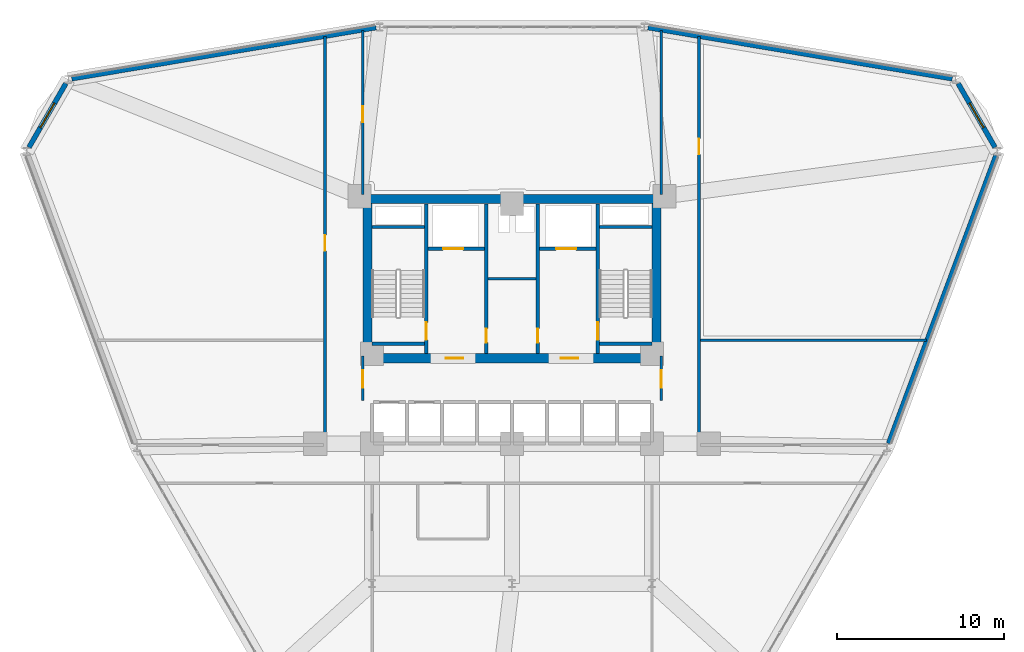
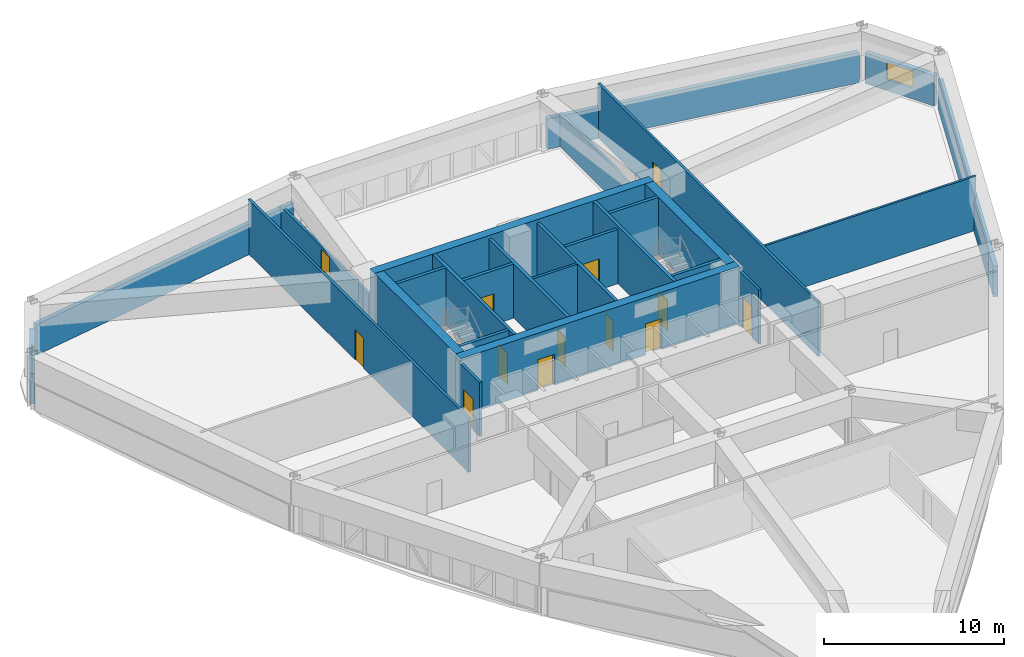
# One storey, part 16 of 20: 27 walls, 13 doors, 2 windows, 15 openings.
"""IFC4 building model written with IfcOpenShell, lengths in metres."""

from ifc_helpers import new_model, si_unit, derived_unit, direction, frame, frame_2d, origin, place, context, subcontext, project, spatial, rectangle, extrude, material, layer, layer_set, type_object, element, fill, save


model = new_model("IFC4")

# Units and contexts
model_context = context("Model", 3, precision=1e-05, world=origin(), true_north=direction((0.0, 1.0)))
body_context = subcontext(model_context, "Body", "Model", "MODEL_VIEW")
ifc_project = project(units=[si_unit("LENGTHUNIT", "METRE"), si_unit("AREAUNIT", "SQUARE_METRE"), si_unit("VOLUMEUNIT", "CUBIC_METRE"), si_unit("PLANEANGLEUNIT", "RADIAN"), si_unit("MASSUNIT", "GRAM", prefix="KILO"), derived_unit("THERMALTRANSMITTANCEUNIT", [(si_unit("POWERUNIT", "WATT"), 1), (si_unit("LENGTHUNIT", "METRE"), -2), (si_unit("THERMODYNAMICTEMPERATUREUNIT", "KELVIN"), -1)])], contexts=[model_context])

# Site, building, storey
site_placement = place(None, origin())
site = spatial("IfcSite", under=ifc_project, at=site_placement, CompositionType="ELEMENT")
building_placement = place(site_placement, origin())
building = spatial("IfcBuilding", under=site, at=building_placement, Name="Korsvarv Bourse and Concert Hall", CompositionType="ELEMENT")
storey_placement = place(building_placement, frame((0.0, 0.0, 39.60009765625)))
storey = spatial("IfcBuildingStorey", under=building, at=storey_placement, Name="L09", CompositionType="ELEMENT", Elevation=39.60009765625)

# Wall, opening, door
ifc_material_1 = material(Name="Concrete C50/60", Category="concrete")
ifc_layer_1 = layer(ifc_material_1, 0.3798828125)
ifc_layer_set_1 = layer_set([ifc_layer_1], Name="Concrete C50/60")
wall_type_1 = type_object("IfcWallType", Name="WL-CORE-380", PredefinedType="SHEAR", material=ifc_layer_set_1)
wall_1_placement = place(storey_placement, frame((30.860107421875, 37.81005859375, 0.0), z_axis=(0.0, 0.0, 1.0), x_axis=(0.0, 1.0, 0.0)))
wall_1 = element("IfcWall", 1, at=wall_1_placement, inside=storey, type_object=wall_type_1, Name="L09 stair shaft structural wall W-L09-ST1-E", PredefinedType="SHEAR", context=body_context, shape_type="SweptSolid", body=[
    extrude(rectangle(XDim=8.97998046875, YDim=0.199951171875, at=frame_2d((4.489990234375, 0.0))), origin(), (0.0, 0.0, 1.0), 3.89990234375),
])
opening_1_placement = place(wall_1_placement, frame((0.820068359375, 0.0, 0.0)))
opening_1 = element("IfcOpeningElement", 2, at=opening_1_placement, cuts=wall_1, Name="Opening D-01", PredefinedType="OPENING", context=body_context, shape_type="SweptSolid", body=[
    extrude(rectangle(XDim=1.050048828125, YDim=2.10009765625, at=frame_2d((0.52490234375, 1.050048828125))), frame((0.0, 0.10986328125, 0.0), z_axis=(0.0, -1.0, 0.0), x_axis=(1.0, 0.0, 0.0)), (0.0, 0.0, 1.0), 0.219970703125),
])
ifc_material_2 = material(Name="Steel S355 fire door", Category="steel")
door_type_1 = type_object("IfcDoorType", Name="DR-FD60", OperationType="NOTDEFINED", PredefinedType="DOOR", material=ifc_material_2)
door_1_placement = place(opening_1_placement, origin())
door_1 = element("IfcDoor", 3, at=door_1_placement, inside=storey, type_object=door_type_1, Name="L09 interior door DR-L09-ST1", OperationType="SINGLE_SWING_RIGHT", OverallHeight=2.10009765625, OverallWidth=1.050048828125, PredefinedType="DOOR", context=body_context, shape_type="SweptSolid", body=[
    extrude(rectangle(XDim=1.050048828125, YDim=2.10009765625, at=frame_2d((0.52490234375, 1.050048828125))), frame((0.0, 0.02490234375, 0.0), z_axis=(0.0, -1.0, 0.0), x_axis=(1.0, 0.0, 0.0)), (0.0, 0.0, 1.0), 0.050048828125),
])
fill(opening_1, door_1)

# Walls
for number, where, z_axis, x_axis, name in (
    (4, (27.610107421875, 45.39990234375, 0.0), (0.0, 0.0, 1.0), (1.0, 0.0, 0.0), "L09 stair shaft structural wall W-L09-ST1-N"),
    (5, (27.610107421875, 38.39990234375, 0.0), (0.0, 0.0, 1.0), (1.0, 0.0, 0.0), "L09 stair shaft structural wall W-L09-ST1-S"),
):
    element("IfcWall", number, at=place(storey_placement, frame(where, z_axis=z_axis, x_axis=x_axis)), inside=storey, type_object=wall_type_1, Name=name, PredefinedType="SHEAR", context=body_context, shape_type="SweptSolid", body=[
        extrude(rectangle(XDim=3.139892578125, YDim=0.199951171875, at=frame_2d((1.56982421875, 0.0))), origin(), (0.0, 0.0, 1.0), 3.89990234375),
    ])

# Wall, opening, door
wall_2_placement = place(storey_placement, frame((41.139892578125, 37.81005859375, 0.0), z_axis=(0.0, 0.0, 1.0), x_axis=(0.0, 1.0, 0.0)))
wall_2 = element("IfcWall", 6, at=wall_2_placement, inside=storey, type_object=wall_type_1, Name="L09 stair shaft structural wall W-L09-ST2-W", PredefinedType="SHEAR", context=body_context, shape_type="SweptSolid", body=[
    extrude(rectangle(XDim=8.97998046875, YDim=0.199951171875, at=frame_2d((4.489990234375, 0.0))), origin(), (0.0, 0.0, 1.0), 3.89990234375),
])
opening_2_placement = place(wall_2_placement, frame((0.820068359375, 0.0, 0.0)))
opening_2 = element("IfcOpeningElement", 7, at=opening_2_placement, cuts=wall_2, Name="Opening D-01", PredefinedType="OPENING", context=body_context, shape_type="SweptSolid", body=[
    extrude(rectangle(XDim=1.050048828125, YDim=2.10009765625, at=frame_2d((0.52490234375, 1.050048828125))), frame((0.0, 0.10986328125, 0.0), z_axis=(0.0, -1.0, 0.0), x_axis=(1.0, 0.0, 0.0)), (0.0, 0.0, 1.0), 0.219970703125),
])
door_2_placement = place(opening_2_placement, frame((1.050048828125, 0.0, 0.0), z_axis=(0.0, 0.0, 1.0), x_axis=(-1.0, 0.0, 0.0)))
door_2 = element("IfcDoor", 8, at=door_2_placement, inside=storey, type_object=door_type_1, Name="L09 interior door DR-L09-ST2", OperationType="SINGLE_SWING_LEFT", OverallHeight=2.10009765625, OverallWidth=1.050048828125, PredefinedType="DOOR", context=body_context, shape_type="SweptSolid", body=[
    extrude(rectangle(XDim=1.050048828125, YDim=2.10009765625, at=frame_2d((0.52490234375, 1.050048828125))), frame((0.0, 0.02490234375, 0.0), z_axis=(0.0, -1.0, 0.0), x_axis=(1.0, 0.0, 0.0)), (0.0, 0.0, 1.0), 0.050048828125),
])
fill(opening_2, door_2)

# Walls
for number, where, z_axis, x_axis, name in (
    (9, (41.25, 45.39990234375, 0.0), (0.0, 0.0, 1.0), (1.0, 0.0, 0.0), "L09 stair shaft structural wall W-L09-ST2-N"),
    (10, (41.25, 38.39990234375, 0.0), (0.0, 0.0, 1.0), (1.0, 0.0, 0.0), "L09 stair shaft structural wall W-L09-ST2-S"),
):
    element("IfcWall", number, at=place(storey_placement, frame(where, z_axis=z_axis, x_axis=x_axis)), inside=storey, type_object=wall_type_1, Name=name, PredefinedType="SHEAR", context=body_context, shape_type="SweptSolid", body=[
        extrude(rectangle(XDim=3.139892578125, YDim=0.199951171875, at=frame_2d((1.56982421875, 0.0))), origin(), (0.0, 0.0, 1.0), 3.89990234375),
    ])
ifc_material_3 = material(Name="Concrete C60/75", Category="concrete")
ifc_layer_2 = layer(ifc_material_3, 0.550048828125)
ifc_layer_set_2 = layer_set([ifc_layer_2], Name="Concrete C60/75")
wall_type_2 = type_object("IfcWallType", Name="WL-CORE-550", PredefinedType="SHEAR", material=ifc_layer_set_2)
wall_3_placement = place(storey_placement, frame((27.050048828125, 47.074951171875, 0.0), z_axis=(0.0, 0.0, 1.0), x_axis=(1.0, 0.0, 0.0)))
element("IfcWall", 11, at=wall_3_placement, inside=storey, type_object=wall_type_2, Name="L09 North Core Shear Wall", PredefinedType="SHEAR", context=body_context, shape_type="SweptSolid", body=[
    extrude(rectangle(XDim=17.89990234375, YDim=0.550048828125, at=frame_2d((8.949951171875, 0.0))), origin(), (0.0, 0.0, 1.0), 3.89990234375),
])

# Wall, openings, doors
wall_4_placement = place(storey_placement, frame((27.050048828125, 37.52490234375, 0.0), z_axis=(0.0, 0.0, 1.0), x_axis=(1.0, 0.0, 0.0)))
wall_4 = element("IfcWall", 12, at=wall_4_placement, inside=storey, type_object=wall_type_2, Name="L09 South Core Shear Wall", PredefinedType="SHEAR", context=body_context, shape_type="SweptSolid", body=[
    extrude(rectangle(XDim=17.89990234375, YDim=0.550048828125, at=frame_2d((8.949951171875, 0.0))), origin(), (0.0, 0.0, 1.0), 3.89990234375),
])
opening_3_placement = place(wall_4_placement, frame((4.97509765625, 0.0, 0.0)))
opening_3 = element("IfcOpeningElement", 13, at=opening_3_placement, cuts=wall_4, Name="Opening D-01", PredefinedType="OPENING", context=body_context, shape_type="SweptSolid", body=[
    extrude(rectangle(XDim=1.050048828125, YDim=2.10009765625, at=frame_2d((0.52490234375, 1.050048828125))), frame((0.0, 0.28515625, 0.0), z_axis=(0.0, -1.0, 0.0), x_axis=(1.0, 0.0, 0.0)), (0.0, 0.0, 1.0), 0.570068359375),
])
opening_4_placement = place(wall_4_placement, frame((11.875, 0.0, 0.0)))
opening_4 = element("IfcOpeningElement", 14, at=opening_4_placement, cuts=wall_4, Name="Opening D-01", PredefinedType="OPENING", context=body_context, shape_type="SweptSolid", body=[
    extrude(rectangle(XDim=1.050048828125, YDim=2.10009765625, at=frame_2d((0.52490234375, 1.050048828125))), frame((0.0, 0.28515625, 0.0), z_axis=(0.0, -1.0, 0.0), x_axis=(1.0, 0.0, 0.0)), (0.0, 0.0, 1.0), 0.570068359375),
])
door_3_placement = place(opening_3_placement, frame((1.050048828125, 0.0, 0.0), z_axis=(0.0, 0.0, 1.0), x_axis=(-1.0, 0.0, 0.0)))
door_3 = element("IfcDoor", 15, at=door_3_placement, inside=storey, type_object=door_type_1, Name="L09 firefighting lobby fire door DR-L09-FFLW", OperationType="SINGLE_SWING_RIGHT", OverallHeight=2.10009765625, OverallWidth=1.050048828125, PredefinedType="DOOR", context=body_context, shape_type="SweptSolid", body=[
    extrude(rectangle(XDim=1.050048828125, YDim=2.10009765625, at=frame_2d((0.52490234375, 1.050048828125))), frame((0.0, 0.02490234375, 0.0), z_axis=(0.0, -1.0, 0.0), x_axis=(1.0, 0.0, 0.0)), (0.0, 0.0, 1.0), 0.050048828125),
])
fill(opening_3, door_3)
door_4_placement = place(opening_4_placement, frame((1.050048828125, 0.0, 0.0), z_axis=(0.0, 0.0, 1.0), x_axis=(-1.0, 0.0, 0.0)))
door_4 = element("IfcDoor", 16, at=door_4_placement, inside=storey, type_object=door_type_1, Name="L09 firefighting lobby fire door DR-L09-FFLE", OperationType="SINGLE_SWING_LEFT", OverallHeight=2.10009765625, OverallWidth=1.050048828125, PredefinedType="DOOR", context=body_context, shape_type="SweptSolid", body=[
    extrude(rectangle(XDim=1.050048828125, YDim=2.10009765625, at=frame_2d((0.52490234375, 1.050048828125))), frame((0.0, 0.02490234375, 0.0), z_axis=(0.0, -1.0, 0.0), x_axis=(1.0, 0.0, 0.0)), (0.0, 0.0, 1.0), 0.050048828125),
])
fill(opening_4, door_4)

# Walls
for number, where, z_axis, x_axis, name in (
    (17, (27.324951171875, 37.800048828125, 0.0), (0.0, 0.0, 1.0), (0.0, 1.0, 0.0), "L09 West Core Shear Wall"),
    (18, (44.675048828125, 37.800048828125, 0.0), (0.0, 0.0, 1.0), (0.0, 1.0, 0.0), "L09 East Core Shear Wall"),
):
    element("IfcWall", number, at=place(storey_placement, frame(where, z_axis=z_axis, x_axis=x_axis)), inside=storey, type_object=wall_type_2, Name=name, PredefinedType="SHEAR", context=body_context, shape_type="SweptSolid", body=[
        extrude(rectangle(XDim=9.0, YDim=0.550048828125, at=frame_2d((4.5, 0.0))), origin(), (0.0, 0.0, 1.0), 3.89990234375),
    ])

# Wall, opening, window
ifc_material_4 = material(Name="Precast concrete C45/55 with terracotta rainscreen", Category="concrete")
ifc_layer_3 = layer(ifc_material_4, 0.300048828125)
ifc_layer_set_3 = layer_set([ifc_layer_3], Name="Precast concrete C45/55 with terracotta rainscreen")
wall_type_3 = type_object("IfcWallType", Name="WL-EXT-TC1", PredefinedType="SOLIDWALL", material=ifc_layer_set_3)
wall_5_placement = place(storey_placement, frame((64.990234375, 50.181640625, 0.0), z_axis=(0.0, 0.0, 1.0), x_axis=(-0.499994569991, 0.866028538779, 0.0)))
wall_5 = element("IfcWall", 19, at=wall_5_placement, inside=storey, type_object=wall_type_3, Name="L09 terracotta exterior wall EW-L09-B01", PredefinedType="SOLIDWALL", context=body_context, shape_type="SweptSolid", body=[
    extrude(rectangle(XDim=4.4267578125, YDim=0.300048828125, at=frame_2d((2.21337890625, 0.0))), origin(), (0.0, 0.0, 1.0), 2.079833984375),
])
opening_5_placement = place(wall_5_placement, frame((1.36328125, 0.0, 0.75)))
opening_5 = element("IfcOpeningElement", 20, at=opening_5_placement, cuts=wall_5, Name="Opening W-06", PredefinedType="OPENING", context=body_context, shape_type="SweptSolid", body=[
    extrude(rectangle(XDim=1.699951171875, YDim=1.14990234375, at=frame_2d((0.85009765625, 0.574951171875))), frame((0.0, 0.16015625, 0.0), z_axis=(0.0, -1.0, 0.0), x_axis=(1.0, 0.0, 0.0)), (0.0, 0.0, 1.0), 0.320068359375),
])
ifc_material_5 = material(Name="Thermally broken aluminium frame with triple low-E glass", Category="glass")
window_type = type_object("IfcWindowType", Name="WIN-TW1-1700X1150", PartitioningType="SINGLE_PANEL", PredefinedType="WINDOW", material=ifc_material_5)
window_1_placement = place(opening_5_placement, origin())
window_1 = element("IfcWindow", 21, at=window_1_placement, inside=storey, type_object=window_type, Name="L09 punched facade window W-06", OverallHeight=1.14990234375, OverallWidth=1.699951171875, PartitioningType="SINGLE_PANEL", PredefinedType="WINDOW", context=body_context, shape_type="SweptSolid", body=[
    extrude(rectangle(XDim=1.699951171875, YDim=1.14990234375, at=frame_2d((0.85009765625, 0.574951171875))), frame((0.0, 0.030029296875, 0.0), z_axis=(0.0, -1.0, 0.0), x_axis=(1.0, 0.0, 0.0)), (0.0, 0.0, 1.0), 0.06005859375),
])
fill(opening_5, window_1)

wall_6_placement = place(storey_placement, frame((9.22314453125, 54.015380859375, 0.0), z_axis=(0.0, 0.0, 1.0), x_axis=(-0.499994569991, -0.866028538779, 0.0)))
wall_6 = element("IfcWall", 22, at=wall_6_placement, inside=storey, type_object=wall_type_3, Name="L09 terracotta exterior wall EW-L09-B05", PredefinedType="SOLIDWALL", context=body_context, shape_type="SweptSolid", body=[
    extrude(rectangle(XDim=4.4267578125, YDim=0.300048828125, at=frame_2d((2.21337890625, 0.0))), origin(), (0.0, 0.0, 1.0), 2.079833984375),
])
opening_6_placement = place(wall_6_placement, frame((1.36328125, 0.0, 0.75)))
opening_6 = element("IfcOpeningElement", 23, at=opening_6_placement, cuts=wall_6, Name="Opening W-06", PredefinedType="OPENING", context=body_context, shape_type="SweptSolid", body=[
    extrude(rectangle(XDim=1.699951171875, YDim=1.14990234375, at=frame_2d((0.85009765625, 0.574951171875))), frame((0.0, 0.16015625, 0.0), z_axis=(0.0, -1.0, 0.0), x_axis=(1.0, 0.0, 0.0)), (0.0, 0.0, 1.0), 0.320068359375),
])
window_2_placement = place(opening_6_placement, origin())
window_2 = element("IfcWindow", 24, at=window_2_placement, inside=storey, type_object=window_type, Name="L09 punched facade window W-06", OverallHeight=1.14990234375, OverallWidth=1.699951171875, PartitioningType="SINGLE_PANEL", PredefinedType="WINDOW", context=body_context, shape_type="SweptSolid", body=[
    extrude(rectangle(XDim=1.699951171875, YDim=1.14990234375, at=frame_2d((0.85009765625, 0.574951171875))), frame((0.0, 0.030029296875, 0.0), z_axis=(0.0, -1.0, 0.0), x_axis=(1.0, 0.0, 0.0)), (0.0, 0.0, 1.0), 0.06005859375),
])
fill(opening_6, window_2)

# Walls
ifc_material_6 = material(Name="Precast concrete C45/55 with fluted terracotta pier", Category="concrete")
ifc_layer_4 = layer(ifc_material_6, 0.280029296875)
ifc_layer_set_4 = layer_set([ifc_layer_4], Name="Precast concrete C45/55 with fluted terracotta pier")
wall_type_4 = type_object("IfcWallType", Name="WL-EXT-TC2", PredefinedType="SOLIDWALL", material=ifc_layer_set_4)
for number, where, z_axis, x_axis, name in (
    (25, (62.420166015625, 54.2939453125, 0.0), (0.0, 0.0, 1.0), (-0.986153073874, 0.165837616025, 0.0), "L09 terracotta exterior wall EW-L09-B02"),
    (26, (27.841796875, 57.364990234375, 0.0), (0.0, 0.0, 1.0), (-0.986153073874, -0.165837616025, 0.0), "L09 terracotta exterior wall EW-L09-B04"),
):
    element("IfcWall", number, at=place(storey_placement, frame(where, z_axis=z_axis, x_axis=x_axis)), inside=storey, type_object=wall_type_4, Name=name, PredefinedType="SOLIDWALL", context=body_context, shape_type="SweptSolid", body=[
        extrude(rectangle(XDim=18.518310546875, YDim=0.280029296875, at=frame_2d((9.25927734375, 0.0))), origin(), (0.0, 0.0, 1.0), 2.079833984375),
    ])
wall_7_placement = place(storey_placement, frame((58.59521484375, 32.41845703125, 0.0), z_axis=(0.0, 0.0, 1.0), x_axis=(0.349439969545, 0.936958754527, 0.0)))
element("IfcWall", 27, at=wall_7_placement, inside=storey, type_object=wall_type_4, Name="L09 terracotta exterior wall EW-L09-B12", PredefinedType="SOLIDWALL", context=body_context, shape_type="SweptSolid", body=[
    extrude(rectangle(XDim=18.44189453125, YDim=0.280029296875, at=frame_2d((9.220947265625, 0.0))), origin(), (0.0, 0.0, 1.0), 2.079833984375),
])

# Wall, opening, door
ifc_material_7 = material(Name="Reinforced concrete blockwork C35/45 fire wall", Category="concrete")
ifc_layer_5 = layer(ifc_material_7, 0.199951171875)
ifc_layer_set_5 = layer_set([ifc_layer_5], Name="Reinforced concrete blockwork C35/45 fire wall")
wall_type_5 = type_object("IfcWallType", Name="WL-INT-EI120", PredefinedType="PARTITIONING", material=ifc_layer_set_5)
wall_8_placement = place(storey_placement, frame((30.969970703125, 44.10009765625, 0.0), z_axis=(0.0, 0.0, 1.0), x_axis=(1.0, 0.0, 0.0)))
wall_8 = element("IfcWall", 28, at=wall_8_placement, inside=storey, type_object=wall_type_5, Name="L09 interior partition wall W-L09-FF1-S", PredefinedType="PARTITIONING", context=body_context, shape_type="SweptSolid", body=[
    extrude(rectangle(XDim=3.380126953125, YDim=0.199951171875, at=frame_2d((1.68994140625, 0.0))), origin(), (0.0, 0.0, 1.0), 3.679931640625),
])
opening_7_placement = place(wall_8_placement, frame((0.89990234375, 0.0, 0.0)))
opening_7 = element("IfcOpeningElement", 29, at=opening_7_placement, cuts=wall_8, Name="Opening LD-1", PredefinedType="OPENING", context=body_context, shape_type="SweptSolid", body=[
    extrude(rectangle(XDim=1.199951171875, YDim=2.10009765625, at=frame_2d((0.60009765625, 1.050048828125))), frame((0.0, 0.10986328125, 0.0), z_axis=(0.0, -1.0, 0.0), x_axis=(1.0, 0.0, 0.0)), (0.0, 0.0, 1.0), 0.219970703125),
])
ifc_material_8 = material(Name="Stainless Steel S355 firefighting lift landing door", Category="steel")
door_type_2 = type_object("IfcDoorType", Name="DR-LIFT-FF", OperationType="DOUBLE_DOOR_SLIDING", PredefinedType="DOOR", material=ifc_material_8)
door_5_placement = place(opening_7_placement, origin())
door_5 = element("IfcDoor", 30, at=door_5_placement, inside=storey, type_object=door_type_2, Name="L09 lift sliding landing door LD-L09-FF1", OperationType="DOUBLE_DOOR_SLIDING", OverallHeight=2.10009765625, OverallWidth=1.199951171875, PredefinedType="DOOR", context=body_context, shape_type="SweptSolid", body=[
    extrude(rectangle(XDim=1.199951171875, YDim=2.10009765625, at=frame_2d((0.60009765625, 1.050048828125))), frame((0.0, 0.02490234375, 0.0), z_axis=(0.0, -1.0, 0.0), x_axis=(1.0, 0.0, 0.0)), (0.0, 0.0, 1.0), 0.050048828125),
])
fill(opening_7, door_5)

wall_9_placement = place(storey_placement, frame((37.64990234375, 44.10009765625, 0.0), z_axis=(0.0, 0.0, 1.0), x_axis=(1.0, 0.0, 0.0)))
wall_9 = element("IfcWall", 31, at=wall_9_placement, inside=storey, type_object=wall_type_5, Name="L09 interior partition wall W-L09-FF2-S", PredefinedType="PARTITIONING", context=body_context, shape_type="SweptSolid", body=[
    extrude(rectangle(XDim=3.380126953125, YDim=0.199951171875, at=frame_2d((1.68994140625, 0.0))), origin(), (0.0, 0.0, 1.0), 3.679931640625),
])
opening_8_placement = place(wall_9_placement, frame((1.0, 0.0, 0.0)))
opening_8 = element("IfcOpeningElement", 32, at=opening_8_placement, cuts=wall_9, Name="Opening LD-1", PredefinedType="OPENING", context=body_context, shape_type="SweptSolid", body=[
    extrude(rectangle(XDim=1.199951171875, YDim=2.10009765625, at=frame_2d((0.60009765625, 1.050048828125))), frame((0.0, 0.10986328125, 0.0), z_axis=(0.0, -1.0, 0.0), x_axis=(1.0, 0.0, 0.0)), (0.0, 0.0, 1.0), 0.219970703125),
])
door_6_placement = place(opening_8_placement, origin())
door_6 = element("IfcDoor", 33, at=door_6_placement, inside=storey, type_object=door_type_2, Name="L09 lift sliding landing door LD-L09-FF2", OperationType="DOUBLE_DOOR_SLIDING", OverallHeight=2.10009765625, OverallWidth=1.199951171875, PredefinedType="DOOR", context=body_context, shape_type="SweptSolid", body=[
    extrude(rectangle(XDim=1.199951171875, YDim=2.10009765625, at=frame_2d((0.60009765625, 1.050048828125))), frame((0.0, 0.02490234375, 0.0), z_axis=(0.0, -1.0, 0.0), x_axis=(1.0, 0.0, 0.0)), (0.0, 0.0, 1.0), 0.050048828125),
])
fill(opening_8, door_6)

wall_10_placement = place(storey_placement, frame((34.4599609375, 37.81005859375, 0.0), z_axis=(0.0, 0.0, 1.0), x_axis=(0.0, 1.0, 0.0)))
wall_10 = element("IfcWall", 34, at=wall_10_placement, inside=storey, type_object=wall_type_5, Name="L09 interior partition wall W-L09-CSB-W", PredefinedType="PARTITIONING", context=body_context, shape_type="SweptSolid", body=[
    extrude(rectangle(XDim=8.97998046875, YDim=0.199951171875, at=frame_2d((4.489990234375, 0.0))), origin(), (0.0, 0.0, 1.0), 3.679931640625),
])
opening_9_placement = place(wall_10_placement, frame((0.64990234375, 0.0, 0.0)))
opening_9 = element("IfcOpeningElement", 35, at=opening_9_placement, cuts=wall_10, Name="Opening D-05", PredefinedType="OPENING", context=body_context, shape_type="SweptSolid", body=[
    extrude(rectangle(XDim=0.85009765625, YDim=2.050048828125, at=frame_2d((0.425048828125, 1.02490234375))), frame((0.0, 0.10986328125, 0.0), z_axis=(0.0, -1.0, 0.0), x_axis=(1.0, 0.0, 0.0)), (0.0, 0.0, 1.0), 0.219970703125),
])
door_type_3 = type_object("IfcDoorType", Name="DR-FD60-850X2050", OperationType="NOTDEFINED", PredefinedType="DOOR", material=ifc_material_2)
door_7_placement = place(opening_9_placement, frame((0.85009765625, 0.0, 0.0), z_axis=(0.0, 0.0, 1.0), x_axis=(-1.0, 0.0, 0.0)))
door_7 = element("IfcDoor", 36, at=door_7_placement, inside=storey, type_object=door_type_3, Name="L09 interior door DR-L09-CSB1", OperationType="SINGLE_SWING_RIGHT", OverallHeight=2.050048828125, OverallWidth=0.85009765625, PredefinedType="DOOR", context=body_context, shape_type="SweptSolid", body=[
    extrude(rectangle(XDim=0.85009765625, YDim=2.050048828125, at=frame_2d((0.425048828125, 1.02490234375))), frame((0.0, 0.02490234375, 0.0), z_axis=(0.0, -1.0, 0.0), x_axis=(1.0, 0.0, 0.0)), (0.0, 0.0, 1.0), 0.050048828125),
])
fill(opening_9, door_7)

wall_11_placement = place(storey_placement, frame((37.5400390625, 37.81005859375, 0.0), z_axis=(0.0, 0.0, 1.0), x_axis=(0.0, 1.0, 0.0)))
wall_11 = element("IfcWall", 37, at=wall_11_placement, inside=storey, type_object=wall_type_5, Name="L09 interior partition wall W-L09-CSB-E", PredefinedType="PARTITIONING", context=body_context, shape_type="SweptSolid", body=[
    extrude(rectangle(XDim=8.97998046875, YDim=0.199951171875, at=frame_2d((4.489990234375, 0.0))), origin(), (0.0, 0.0, 1.0), 3.679931640625),
])
opening_10_placement = place(wall_11_placement, frame((0.64990234375, 0.0, 0.0)))
opening_10 = element("IfcOpeningElement", 38, at=opening_10_placement, cuts=wall_11, Name="Opening D-05", PredefinedType="OPENING", context=body_context, shape_type="SweptSolid", body=[
    extrude(rectangle(XDim=0.85009765625, YDim=2.050048828125, at=frame_2d((0.425048828125, 1.02490234375))), frame((0.0, 0.10986328125, 0.0), z_axis=(0.0, -1.0, 0.0), x_axis=(1.0, 0.0, 0.0)), (0.0, 0.0, 1.0), 0.219970703125),
])
door_8_placement = place(opening_10_placement, origin())
door_8 = element("IfcDoor", 39, at=door_8_placement, inside=storey, type_object=door_type_3, Name="L09 interior door DR-L09-CSB2", OperationType="SINGLE_SWING_LEFT", OverallHeight=2.050048828125, OverallWidth=0.85009765625, PredefinedType="DOOR", context=body_context, shape_type="SweptSolid", body=[
    extrude(rectangle(XDim=0.85009765625, YDim=2.050048828125, at=frame_2d((0.425048828125, 1.02490234375))), frame((0.0, 0.02490234375, 0.0), z_axis=(0.0, -1.0, 0.0), x_axis=(1.0, 0.0, 0.0)), (0.0, 0.0, 1.0), 0.050048828125),
])
fill(opening_10, door_8)

# Wall
ifc_material_9 = material(Name="Double-stud fire-rated acoustic partition", Category="gypsum")
ifc_layer_6 = layer(ifc_material_9, 0.159912109375)
ifc_layer_set_6 = layer_set([ifc_layer_6], Name="Double-stud fire-rated acoustic partition")
wall_type_6 = type_object("IfcWallType", Name="WL-INT-EI60", PredefinedType="PARTITIONING", material=ifc_layer_set_6)
wall_12_placement = place(storey_placement, frame((34.570068359375, 42.300048828125, 0.0), z_axis=(0.0, 0.0, 1.0), x_axis=(1.0, 0.0, 0.0)))
element("IfcWall", 40, at=wall_12_placement, inside=storey, type_object=wall_type_6, Name="L09 interior partition wall W-L09-K1", PredefinedType="PARTITIONING", context=body_context, shape_type="SweptSolid", body=[
    extrude(rectangle(XDim=2.85986328125, YDim=0.159912109375, at=frame_2d((1.429931640625, 0.0))), origin(), (0.0, 0.0, 1.0), 3.679931640625),
])

# Wall, opening, door
wall_13_placement = place(storey_placement, frame((27.0400390625, 35.0, 0.0), z_axis=(0.0, 0.0, 1.0), x_axis=(0.0, 1.0, 0.0)))
wall_13 = element("IfcWall", 41, at=wall_13_placement, inside=storey, type_object=wall_type_6, Name="L09 interior partition wall W-L09-LOB-W", PredefinedType="PARTITIONING", context=body_context, shape_type="SweptSolid", body=[
    extrude(rectangle(XDim=2.64990234375, YDim=0.159912109375, at=frame_2d((1.324951171875, 0.0))), origin(), (0.0, 0.0, 1.0), 3.679931640625),
])
opening_11_placement = place(wall_13_placement, frame((0.75, 0.0, 0.0)))
opening_11 = element("IfcOpeningElement", 42, at=opening_11_placement, cuts=wall_13, Name="Opening D-01", PredefinedType="OPENING", context=body_context, shape_type="SweptSolid", body=[
    extrude(rectangle(XDim=1.050048828125, YDim=2.10009765625, at=frame_2d((0.52490234375, 1.050048828125))), frame((0.0, 0.08984375, 0.0), z_axis=(0.0, -1.0, 0.0), x_axis=(1.0, 0.0, 0.0)), (0.0, 0.0, 1.0), 0.179931640625),
])
door_9_placement = place(opening_11_placement, frame((1.050048828125, 0.0, 0.0), z_axis=(0.0, 0.0, 1.0), x_axis=(-1.0, 0.0, 0.0)))
door_9 = element("IfcDoor", 43, at=door_9_placement, inside=storey, type_object=door_type_1, Name="L09 interior door DR-L09-LOBW", OperationType="SINGLE_SWING_RIGHT", OverallHeight=2.10009765625, OverallWidth=1.050048828125, PredefinedType="DOOR", context=body_context, shape_type="SweptSolid", body=[
    extrude(rectangle(XDim=1.050048828125, YDim=2.10009765625, at=frame_2d((0.52490234375, 1.050048828125))), frame((0.0, 0.02490234375, 0.0), z_axis=(0.0, -1.0, 0.0), x_axis=(1.0, 0.0, 0.0)), (0.0, 0.0, 1.0), 0.050048828125),
])
fill(opening_11, door_9)

wall_14_placement = place(storey_placement, frame((44.9599609375, 35.0, 0.0), z_axis=(0.0, 0.0, 1.0), x_axis=(0.0, 1.0, 0.0)))
wall_14 = element("IfcWall", 44, at=wall_14_placement, inside=storey, type_object=wall_type_6, Name="L09 interior partition wall W-L09-LOB-E", PredefinedType="PARTITIONING", context=body_context, shape_type="SweptSolid", body=[
    extrude(rectangle(XDim=2.64990234375, YDim=0.159912109375, at=frame_2d((1.324951171875, 0.0))), origin(), (0.0, 0.0, 1.0), 3.679931640625),
])
opening_12_placement = place(wall_14_placement, frame((0.75, 0.0, 0.0)))
opening_12 = element("IfcOpeningElement", 45, at=opening_12_placement, cuts=wall_14, Name="Opening D-01", PredefinedType="OPENING", context=body_context, shape_type="SweptSolid", body=[
    extrude(rectangle(XDim=1.050048828125, YDim=2.10009765625, at=frame_2d((0.52490234375, 1.050048828125))), frame((0.0, 0.08984375, 0.0), z_axis=(0.0, -1.0, 0.0), x_axis=(1.0, 0.0, 0.0)), (0.0, 0.0, 1.0), 0.179931640625),
])
door_10_placement = place(opening_12_placement, origin())
door_10 = element("IfcDoor", 46, at=door_10_placement, inside=storey, type_object=door_type_1, Name="L09 interior door DR-L09-LOBE", OperationType="SINGLE_SWING_LEFT", OverallHeight=2.10009765625, OverallWidth=1.050048828125, PredefinedType="DOOR", context=body_context, shape_type="SweptSolid", body=[
    extrude(rectangle(XDim=1.050048828125, YDim=2.10009765625, at=frame_2d((0.52490234375, 1.050048828125))), frame((0.0, 0.02490234375, 0.0), z_axis=(0.0, -1.0, 0.0), x_axis=(1.0, 0.0, 0.0)), (0.0, 0.0, 1.0), 0.050048828125),
])
fill(opening_12, door_10)

wall_15_placement = place(storey_placement, frame((47.22509765625, 32.31005859375, 0.0), z_axis=(0.0, 0.0, 1.0), x_axis=(0.0, 1.0, 0.0)))
wall_15 = element("IfcWall", 47, at=wall_15_placement, inside=storey, type_object=wall_type_6, Name="L09 interior partition wall W-L09-TCOR-02", PredefinedType="PARTITIONING", context=body_context, shape_type="SweptSolid", body=[
    extrude(rectangle(XDim=24.51904296875, YDim=0.159912109375, at=frame_2d((12.259521484375, 0.0))), origin(), (0.0, 0.0, 1.0), 3.679931640625),
])
opening_13_placement = place(wall_15_placement, frame((17.451416015625, 0.0, 0.0)))
opening_13 = element("IfcOpeningElement", 48, at=opening_13_placement, cuts=wall_15, Name="Opening D-02", PredefinedType="OPENING", context=body_context, shape_type="SweptSolid", body=[
    extrude(rectangle(XDim=0.949951171875, YDim=2.050048828125, at=frame_2d((0.47509765625, 1.02490234375))), frame((0.0, 0.08984375, 0.0), z_axis=(0.0, -1.0, 0.0), x_axis=(1.0, 0.0, 0.0)), (0.0, 0.0, 1.0), 0.179931640625),
])
ifc_material_10 = material(Name="Timber and steel acoustic fire door", Category="wood")
door_type_4 = type_object("IfcDoorType", Name="DR-FD30", OperationType="NOTDEFINED", PredefinedType="DOOR", material=ifc_material_10)
door_11_placement = place(opening_13_placement, origin())
door_11 = element("IfcDoor", 49, at=door_11_placement, inside=storey, type_object=door_type_4, Name="L09 interior door DR-L09-TCOR-FI82", OperationType="SINGLE_SWING_LEFT", OverallHeight=2.050048828125, OverallWidth=0.949951171875, PredefinedType="DOOR", context=body_context, shape_type="SweptSolid", body=[
    extrude(rectangle(XDim=0.949951171875, YDim=2.050048828125, at=frame_2d((0.47509765625, 1.02490234375))), frame((0.0, 0.02490234375, 0.0), z_axis=(0.0, -1.0, 0.0), x_axis=(1.0, 0.0, 0.0)), (0.0, 0.0, 1.0), 0.050048828125),
])
fill(opening_13, door_11)

wall_16_placement = place(storey_placement, frame((24.77490234375, 32.31005859375, 0.0), z_axis=(0.0, 0.0, 1.0), x_axis=(0.0, 1.0, 0.0)))
wall_16 = element("IfcWall", 50, at=wall_16_placement, inside=storey, type_object=wall_type_6, Name="L09 interior partition wall W-L09-TCOR-03", PredefinedType="PARTITIONING", context=body_context, shape_type="SweptSolid", body=[
    extrude(rectangle(XDim=24.51904296875, YDim=0.159912109375, at=frame_2d((12.259521484375, 0.0))), origin(), (0.0, 0.0, 1.0), 3.679931640625),
])
opening_14_placement = place(wall_16_placement, frame((11.653564453125, 0.0, 0.0)))
opening_14 = element("IfcOpeningElement", 51, at=opening_14_placement, cuts=wall_16, Name="Opening D-02", PredefinedType="OPENING", context=body_context, shape_type="SweptSolid", body=[
    extrude(rectangle(XDim=0.949951171875, YDim=2.050048828125, at=frame_2d((0.47509765625, 1.02490234375))), frame((0.0, 0.08984375, 0.0), z_axis=(0.0, -1.0, 0.0), x_axis=(1.0, 0.0, 0.0)), (0.0, 0.0, 1.0), 0.179931640625),
])
door_12_placement = place(opening_14_placement, origin())
door_12 = element("IfcDoor", 52, at=door_12_placement, inside=storey, type_object=door_type_4, Name="L09 interior door DR-L09-TCOR-FI611", OperationType="SINGLE_SWING_RIGHT", OverallHeight=2.050048828125, OverallWidth=0.949951171875, PredefinedType="DOOR", context=body_context, shape_type="SweptSolid", body=[
    extrude(rectangle(XDim=0.949951171875, YDim=2.050048828125, at=frame_2d((0.47509765625, 1.02490234375))), frame((0.0, 0.02490234375, 0.0), z_axis=(0.0, -1.0, 0.0), x_axis=(1.0, 0.0, 0.0)), (0.0, 0.0, 1.0), 0.050048828125),
])
fill(opening_14, door_12)

wall_17_placement = place(storey_placement, frame((27.034912109375, 47.340087890625, 0.0), z_axis=(0.0, 0.0, 1.0), x_axis=(0.0, 1.0, 0.0)))
wall_17 = element("IfcWall", 53, at=wall_17_placement, inside=storey, type_object=wall_type_6, Name="L09 interior partition wall W-L09-TCOR-06", PredefinedType="PARTITIONING", context=body_context, shape_type="SweptSolid", body=[
    extrude(rectangle(XDim=9.869140625, YDim=0.159912109375, at=frame_2d((4.9345703125, 0.0))), origin(), (0.0, 0.0, 1.0), 2.239990234375),
])
opening_15_placement = place(wall_17_placement, frame((4.353515625, 0.0, 0.0)))
opening_15 = element("IfcOpeningElement", 54, at=opening_15_placement, cuts=wall_17, Name="Opening D-02", PredefinedType="OPENING", context=body_context, shape_type="SweptSolid", body=[
    extrude(rectangle(XDim=0.949951171875, YDim=2.050048828125, at=frame_2d((0.47509765625, 1.02490234375))), frame((0.0, 0.08984375, 0.0), z_axis=(0.0, -1.0, 0.0), x_axis=(1.0, 0.0, 0.0)), (0.0, 0.0, 1.0), 0.179931640625),
])
door_13_placement = place(opening_15_placement, origin())
door_13 = element("IfcDoor", 55, at=door_13_placement, inside=storey, type_object=door_type_4, Name="L09 interior door DR-L09-TCOR-RM99", OperationType="SINGLE_SWING_LEFT", OverallHeight=2.050048828125, OverallWidth=0.949951171875, PredefinedType="DOOR", context=body_context, shape_type="SweptSolid", body=[
    extrude(rectangle(XDim=0.949951171875, YDim=2.050048828125, at=frame_2d((0.47509765625, 1.02490234375))), frame((0.0, 0.02490234375, 0.0), z_axis=(0.0, -1.0, 0.0), x_axis=(1.0, 0.0, 0.0)), (0.0, 0.0, 1.0), 0.050048828125),
])
fill(opening_15, door_13)

# Walls
wall_18_placement = place(storey_placement, frame((44.965087890625, 47.340087890625, 0.0), z_axis=(0.0, 0.0, 1.0), x_axis=(0.0, 1.0, 0.0)))
element("IfcWall", 56, at=wall_18_placement, inside=storey, type_object=wall_type_6, Name="L09 interior partition wall W-L09-TCOR-07", PredefinedType="PARTITIONING", context=body_context, shape_type="SweptSolid", body=[
    extrude(rectangle(XDim=9.869140625, YDim=0.159912109375, at=frame_2d((4.9345703125, 0.0))), origin(), (0.0, 0.0, 1.0), 2.239990234375),
])
ifc_material_11 = material(Name="Insulated steel-stud office acoustic partition", Category="gypsum")
ifc_layer_7 = layer(ifc_material_11, 0.139892578125)
ifc_layer_set_7 = layer_set([ifc_layer_7], Name="Insulated steel-stud office acoustic partition")
wall_type_7 = type_object("IfcWallType", Name="WL-INT-P1", PredefinedType="PARTITIONING", material=ifc_layer_set_7)
wall_19_placement = place(storey_placement, frame((47.306884765625, 38.60498046875, 0.0), z_axis=(0.0, 0.0, 1.0), x_axis=(1.0, 0.0, 0.0)))
element("IfcWall", 57, at=wall_19_placement, inside=storey, type_object=wall_type_7, Name="L09 interior partition wall W-L09-TCOR-11", PredefinedType="PARTITIONING", context=body_context, shape_type="SweptSolid", body=[
    extrude(rectangle(XDim=13.575439453125, YDim=0.139892578125, at=frame_2d((6.78759765625, 0.0))), origin(), (0.0, 0.0, 1.0), 3.679931640625),
])

save(model, "model.ifc")
